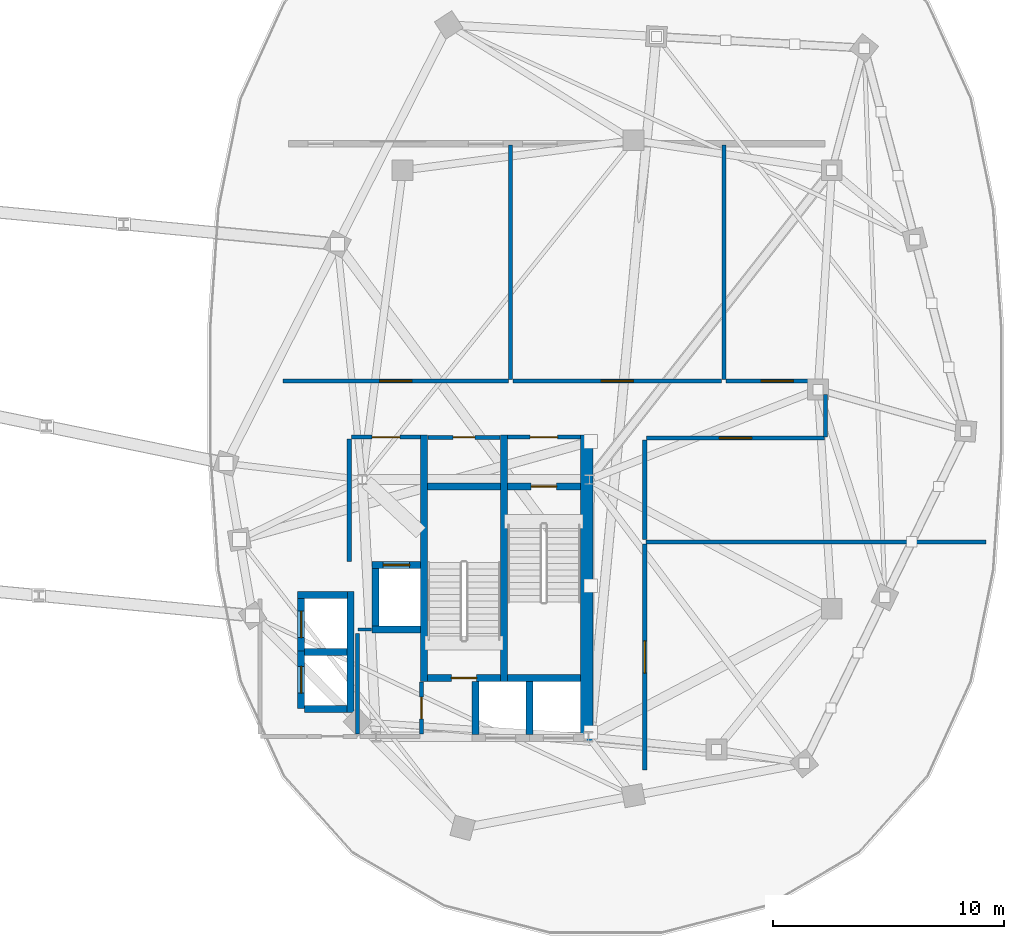
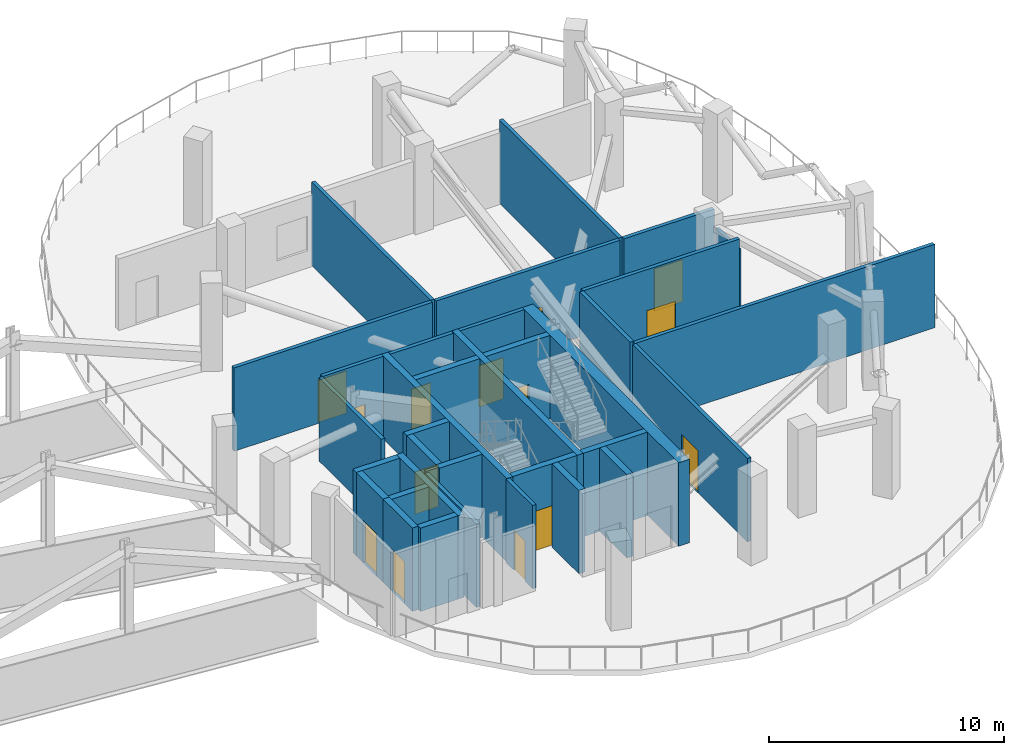
# One storey, part 9 of 16: 35 walls, 14 doors, 14 openings.
"""IFC4 building model written with IfcOpenShell, lengths in metres."""

from ifc_helpers import new_model, si_unit, direction, frame, frame_2d, origin, place, context, subcontext, project, spatial, rectangle, extrude, material, layer, layer_set, type_object, element, fill, save


model = new_model("IFC4")

# Units and contexts
model_context = context("Model", 3, precision=1e-05, world=origin(), true_north=direction((0.0, 1.0)))
body_context = subcontext(model_context, "Body", "Model", "MODEL_VIEW")
ifc_project = project(units=[si_unit("LENGTHUNIT", "METRE"), si_unit("AREAUNIT", "SQUARE_METRE"), si_unit("VOLUMEUNIT", "CUBIC_METRE"), si_unit("PLANEANGLEUNIT", "RADIAN"), si_unit("MASSUNIT", "GRAM", prefix="KILO"), si_unit("THERMODYNAMICTEMPERATUREUNIT", "KELVIN"), si_unit("POWERUNIT", "WATT")], contexts=[model_context])

# Site, building, storey
site_placement = place(None, origin())
site = spatial("IfcSite", under=ifc_project, at=site_placement, CompositionType="ELEMENT")
building_placement = place(site_placement, origin())
building = spatial("IfcBuilding", under=site, at=building_placement, Name="Cundina Bronze Exchange", CompositionType="ELEMENT")
storey_placement = place(building_placement, frame((0.0, 0.0, 235.0)))
storey = spatial("IfcBuildingStorey", under=building, at=storey_placement, Name="L62", CompositionType="ELEMENT", Elevation=235.0)

# Wall
ifc_material_1 = material(Name="Gypsum Fireboard Partition EI120")
ifc_layer_1 = layer(ifc_material_1, 0.179931640625, Name="Gypsum Fireboard Partition EI120")
ifc_layer_set_1 = layer_set([ifc_layer_1], Name="Gypsum Fireboard Partition EI120")
wall_type_1 = type_object("IfcWallType", Name="WL-COR-180", PredefinedType="PARTITIONING", material=ifc_layer_set_1)
wall_1_placement = place(storey_placement, frame((20.889892578125, -7.449951171875, 0.0), z_axis=(0.0, 0.0, 1.0), x_axis=(0.0, 1.0, 0.0)))
element("IfcWall", 1, at=wall_1_placement, inside=storey, type_object=wall_type_1, Name="L62 E Firefighting Lobby Side Wall", PredefinedType="PARTITIONING", context=body_context, shape_type="SweptSolid", body=[
    extrude(rectangle(XDim=5.300048828125, YDim=0.179931640625, at=frame_2d((2.64990234375, 0.0))), origin(), (0.0, 0.0, 1.0), 4.340087890625),
])

# Wall, opening, door
wall_2_placement = place(storey_placement, frame((20.97998046875, -2.06005859375, 0.0), z_axis=(0.0, 0.0, 1.0), x_axis=(1.0, 0.0, 0.0)))
wall_2 = element("IfcWall", 2, at=wall_2_placement, inside=storey, type_object=wall_type_1, Name="L62 E Firefighting Lobby Exit Wall", PredefinedType="PARTITIONING", context=body_context, shape_type="SweptSolid", body=[
    extrude(rectangle(XDim=3.0, YDim=0.179931640625, at=frame_2d((1.5, 0.0))), origin(), (0.0, 0.0, 1.0), 4.340087890625),
])
opening_1_placement = place(wall_2_placement, frame((0.89990234375, 0.0, 0.0)))
opening_1 = element("IfcOpeningElement", 3, at=opening_1_placement, cuts=wall_2, Name="Opening DF-01", PredefinedType="OPENING", context=body_context, shape_type="SweptSolid", body=[
    extrude(rectangle(XDim=1.199951171875, YDim=2.14990234375, at=frame_2d((0.60009765625, 1.074951171875))), frame((0.0, 0.099853515625, 0.0), z_axis=(0.0, -1.0, 0.0), x_axis=(1.0, 0.0, 0.0)), (0.0, 0.0, 1.0), 0.199951171875),
])
ifc_material_2 = material(Name="Steel ASTM A36 Painted", Category="steel")
door_type_1 = type_object("IfcDoorType", Name="DR-FFL-1200", OperationType="NOTDEFINED", PredefinedType="DOOR", material=ifc_material_2)
door_1_placement = place(opening_1_placement, origin())
door_1 = element("IfcDoor", 4, at=door_1_placement, inside=storey, type_object=door_type_1, Name="L62 E Firefighting Lobby Door", OperationType="SINGLE_SWING_LEFT", OverallHeight=2.14990234375, OverallWidth=1.199951171875, PredefinedType="DOOR", context=body_context, shape_type="SweptSolid", body=[
    extrude(rectangle(XDim=1.199951171875, YDim=2.14990234375, at=frame_2d((0.60009765625, 1.074951171875))), frame((0.0, 0.02490234375, 0.0), z_axis=(0.0, -1.0, 0.0), x_axis=(1.0, 0.0, 0.0)), (0.0, 0.0, 1.0), 0.050048828125),
])
fill(opening_1, door_1)

wall_3_placement = place(storey_placement, frame((27.739990234375, -2.06005859375, 0.0), z_axis=(0.0, 0.0, 1.0), x_axis=(1.0, 0.0, 0.0)))
wall_3 = element("IfcWall", 5, at=wall_3_placement, inside=storey, type_object=wall_type_1, Name="L62 E Stair Vestibule Exit Wall", PredefinedType="PARTITIONING", context=body_context, shape_type="SweptSolid", body=[
    extrude(rectangle(XDim=3.159912109375, YDim=0.179931640625, at=frame_2d((1.580078125, 0.0))), origin(), (0.0, 0.0, 1.0), 4.340087890625),
])
opening_2_placement = place(wall_3_placement, frame((0.97998046875, 0.0, 0.0)))
opening_2 = element("IfcOpeningElement", 6, at=opening_2_placement, cuts=wall_3, Name="Opening DF-01", PredefinedType="OPENING", context=body_context, shape_type="SweptSolid", body=[
    extrude(rectangle(XDim=1.199951171875, YDim=2.14990234375, at=frame_2d((0.60009765625, 1.074951171875))), frame((0.0, 0.099853515625, 0.0), z_axis=(0.0, -1.0, 0.0), x_axis=(1.0, 0.0, 0.0)), (0.0, 0.0, 1.0), 0.199951171875),
])
door_2_placement = place(opening_2_placement, origin())
door_2 = element("IfcDoor", 7, at=door_2_placement, inside=storey, type_object=door_type_1, Name="L62 E Stair Vestibule Door", OperationType="SINGLE_SWING_RIGHT", OverallHeight=2.14990234375, OverallWidth=1.199951171875, PredefinedType="DOOR", context=body_context, shape_type="SweptSolid", body=[
    extrude(rectangle(XDim=1.199951171875, YDim=2.14990234375, at=frame_2d((0.60009765625, 1.074951171875))), frame((0.0, 0.02490234375, 0.0), z_axis=(0.0, -1.0, 0.0), x_axis=(1.0, 0.0, 0.0)), (0.0, 0.0, 1.0), 0.050048828125),
])
fill(opening_2, door_2)

# Wall
wall_4_placement = place(storey_placement, frame((21.25, -14.929931640625, 0.0), z_axis=(0.0, 0.0, 1.0), x_axis=(0.0, 1.0, 0.0)))
element("IfcWall", 8, at=wall_4_placement, inside=storey, type_object=wall_type_1, Name="L62 Interior Partition 023", PredefinedType="PARTITIONING", context=body_context, shape_type="SweptSolid", body=[
    extrude(rectangle(XDim=4.35986328125, YDim=0.179931640625, at=frame_2d((2.179931640625, 0.0))), origin(), (0.0, 0.0, 1.0), 4.340087890625),
])

# Wall, opening, door
wall_5_placement = place(storey_placement, frame((24.300048828125, -2.070068359375, 0.0), z_axis=(0.0, 0.0, 1.0), x_axis=(1.0, 0.0, 0.0)))
wall_5 = element("IfcWall", 9, at=wall_5_placement, inside=storey, type_object=wall_type_1, Name="L62 Interior Partition 025", PredefinedType="PARTITIONING", context=body_context, shape_type="SweptSolid", body=[
    extrude(rectangle(XDim=3.119873046875, YDim=0.179931640625, at=frame_2d((1.56005859375, 0.0))), origin(), (0.0, 0.0, 1.0), 4.340087890625),
])
opening_3_placement = place(wall_5_placement, frame((1.0849609375, 0.0, 0.0)))
opening_3 = element("IfcOpeningElement", 10, at=opening_3_placement, cuts=wall_5, Name="Opening DW-01", PredefinedType="OPENING", context=body_context, shape_type="SweptSolid", body=[
    extrude(rectangle(XDim=0.949951171875, YDim=2.10009765625, at=frame_2d((0.47509765625, 1.050048828125))), frame((0.0, 0.099853515625, 0.0), z_axis=(0.0, -1.0, 0.0), x_axis=(1.0, 0.0, 0.0)), (0.0, 0.0, 1.0), 0.199951171875),
])
ifc_material_3 = material(Name="Solid Andean Oak Timber Grade A", Category="wood")
door_type_2 = type_object("IfcDoorType", Name="DR-WC-950", OperationType="NOTDEFINED", PredefinedType="DOOR", material=ifc_material_3)
door_3_placement = place(opening_3_placement, origin())
door_3 = element("IfcDoor", 11, at=door_3_placement, inside=storey, type_object=door_type_2, Name="L62 Interior Door 025", OperationType="SINGLE_SWING_RIGHT", OverallHeight=2.10009765625, OverallWidth=0.949951171875, PredefinedType="DOOR", context=body_context, shape_type="SweptSolid", body=[
    extrude(rectangle(XDim=0.949951171875, YDim=2.10009765625, at=frame_2d((0.47509765625, 1.050048828125))), frame((0.0, 0.02490234375, 0.0), z_axis=(0.0, -1.0, 0.0), x_axis=(1.0, 0.0, 0.0)), (0.0, 0.0, 1.0), 0.050048828125),
])
fill(opening_3, door_3)

wall_6_placement = place(storey_placement, frame((24.02001953125, -14.929931640625, 0.0), z_axis=(0.0, 0.0, 1.0), x_axis=(0.0, 1.0, 0.0)))
wall_6 = element("IfcWall", 12, at=wall_6_placement, inside=storey, type_object=wall_type_1, Name="L62 Interior Partition 026", PredefinedType="PARTITIONING", context=body_context, shape_type="SweptSolid", body=[
    extrude(rectangle(XDim=2.260009765625, YDim=0.179931640625, at=frame_2d((1.1298828125, 0.0))), origin(), (0.0, 0.0, 1.0), 4.340087890625),
])
opening_4_placement = place(wall_6_placement, frame((0.655029296875, 0.0, 0.0)))
opening_4 = element("IfcOpeningElement", 13, at=opening_4_placement, cuts=wall_6, Name="Opening DW-01", PredefinedType="OPENING", context=body_context, shape_type="SweptSolid", body=[
    extrude(rectangle(XDim=0.949951171875, YDim=2.10009765625, at=frame_2d((0.47509765625, 1.050048828125))), frame((0.0, 0.099853515625, 0.0), z_axis=(0.0, -1.0, 0.0), x_axis=(1.0, 0.0, 0.0)), (0.0, 0.0, 1.0), 0.199951171875),
])
door_4_placement = place(opening_4_placement, origin())
door_4 = element("IfcDoor", 14, at=door_4_placement, inside=storey, type_object=door_type_2, Name="L62 Interior Door 026", OperationType="SINGLE_SWING_RIGHT", OverallHeight=2.10009765625, OverallWidth=0.949951171875, PredefinedType="DOOR", context=body_context, shape_type="SweptSolid", body=[
    extrude(rectangle(XDim=0.949951171875, YDim=2.10009765625, at=frame_2d((0.47509765625, 1.050048828125))), frame((0.0, 0.02490234375, 0.0), z_axis=(0.0, -1.0, 0.0), x_axis=(1.0, 0.0, 0.0)), (0.0, 0.0, 1.0), 0.050048828125),
])
fill(opening_4, door_4)

# Walls
wall_7_placement = place(storey_placement, frame((37.1201171875, 0.43994140625, 0.0), z_axis=(0.0, 0.0, 1.0), x_axis=(0.0, 1.0, 0.0)))
element("IfcWall", 15, at=wall_7_placement, inside=storey, type_object=wall_type_1, Name="L62 Interior Partition 027", PredefinedType="PARTITIONING", context=body_context, shape_type="SweptSolid", body=[
    extrude(rectangle(XDim=10.16015625, YDim=0.179931640625, at=frame_2d((5.080078125, 0.0))), origin(), (0.0, 0.0, 1.0), 4.340087890625),
])
wall_8_placement = place(storey_placement, frame((33.739990234375, -6.60009765625, 0.0), z_axis=(0.0, 0.0, 1.0), x_axis=(1.0, 0.0, 0.0)))
element("IfcWall", 16, at=wall_8_placement, inside=storey, type_object=wall_type_1, Name="L62 Interior Partition 028", PredefinedType="PARTITIONING", context=body_context, shape_type="SweptSolid", body=[
    extrude(rectangle(XDim=14.739990234375, YDim=0.179931640625, at=frame_2d((7.3701171875, 0.0))), origin(), (0.0, 0.0, 1.0), 4.340087890625),
])

# Wall, opening, door
wall_9_placement = place(storey_placement, frame((27.780029296875, 0.3701171875, 0.0), z_axis=(0.0, 0.0, 1.0), x_axis=(-1.0, 0.0, 0.0)))
wall_9 = element("IfcWall", 17, at=wall_9_placement, inside=storey, type_object=wall_type_1, Name="L62 Interior Partition 029", PredefinedType="PARTITIONING", context=body_context, shape_type="SweptSolid", body=[
    extrude(rectangle(XDim=9.760009765625, YDim=0.179931640625, at=frame_2d((4.8798828125, 0.0))), origin(), (0.0, 0.0, 1.0), 4.340087890625),
])
opening_5_placement = place(wall_9_placement, frame((4.179931640625, 0.0, 0.0)))
opening_5 = element("IfcOpeningElement", 18, at=opening_5_placement, cuts=wall_9, Name="Opening DP-01", PredefinedType="OPENING", context=body_context, shape_type="SweptSolid", body=[
    extrude(rectangle(XDim=1.39990234375, YDim=2.199951171875, at=frame_2d((0.699951171875, 1.10009765625))), frame((0.0, 0.099853515625, 0.0), z_axis=(0.0, -1.0, 0.0), x_axis=(1.0, 0.0, 0.0)), (0.0, 0.0, 1.0), 0.199951171875),
])
door_type_3 = type_object("IfcDoorType", Name="DR-PLT-1400", OperationType="NOTDEFINED", PredefinedType="DOOR", material=ifc_material_2)
door_5_placement = place(opening_5_placement, origin())
door_5 = element("IfcDoor", 19, at=door_5_placement, inside=storey, type_object=door_type_3, Name="L62 Interior Door 029", OperationType="SINGLE_SWING_RIGHT", OverallHeight=2.199951171875, OverallWidth=1.39990234375, PredefinedType="DOOR", context=body_context, shape_type="SweptSolid", body=[
    extrude(rectangle(XDim=1.39990234375, YDim=2.199951171875, at=frame_2d((0.699951171875, 1.10009765625))), frame((0.0, 0.02490234375, 0.0), z_axis=(0.0, -1.0, 0.0), x_axis=(1.0, 0.0, 0.0)), (0.0, 0.0, 1.0), 0.050048828125),
])
fill(opening_5, door_5)

wall_10_placement = place(storey_placement, frame((41.65869140625, 0.3701171875, 0.0), z_axis=(0.0, 0.0, 1.0), x_axis=(-1.0, 0.0, 0.0)))
wall_10 = element("IfcWall", 20, at=wall_10_placement, inside=storey, type_object=wall_type_1, Name="L62 Interior Partition 030", PredefinedType="PARTITIONING", context=body_context, shape_type="SweptSolid", body=[
    extrude(rectangle(XDim=4.438720703125, YDim=0.179931640625, at=frame_2d((2.21923828125, 0.0))), origin(), (0.0, 0.0, 1.0), 4.340087890625),
])
opening_6_placement = place(wall_10_placement, frame((1.519287109375, 0.0, 0.0)))
opening_6 = element("IfcOpeningElement", 21, at=opening_6_placement, cuts=wall_10, Name="Opening DP-01", PredefinedType="OPENING", context=body_context, shape_type="SweptSolid", body=[
    extrude(rectangle(XDim=1.39990234375, YDim=2.199951171875, at=frame_2d((0.699951171875, 1.10009765625))), frame((0.0, 0.099853515625, 0.0), z_axis=(0.0, -1.0, 0.0), x_axis=(1.0, 0.0, 0.0)), (0.0, 0.0, 1.0), 0.199951171875),
])
door_6_placement = place(opening_6_placement, origin())
door_6 = element("IfcDoor", 22, at=door_6_placement, inside=storey, type_object=door_type_3, Name="L62 Interior Door 030", OperationType="SINGLE_SWING_RIGHT", OverallHeight=2.199951171875, OverallWidth=1.39990234375, PredefinedType="DOOR", context=body_context, shape_type="SweptSolid", body=[
    extrude(rectangle(XDim=1.39990234375, YDim=2.199951171875, at=frame_2d((0.699951171875, 1.10009765625))), frame((0.0, 0.02490234375, 0.0), z_axis=(0.0, -1.0, 0.0), x_axis=(1.0, 0.0, 0.0)), (0.0, 0.0, 1.0), 0.050048828125),
])
fill(opening_6, door_6)

wall_11_placement = place(storey_placement, frame((37.02001953125, 0.3701171875, 0.0), z_axis=(0.0, 0.0, 1.0), x_axis=(-1.0, 0.0, 0.0)))
wall_11 = element("IfcWall", 23, at=wall_11_placement, inside=storey, type_object=wall_type_1, Name="L62 Interior Partition 031", PredefinedType="PARTITIONING", context=body_context, shape_type="SweptSolid", body=[
    extrude(rectangle(XDim=9.0400390625, YDim=0.179931640625, at=frame_2d((4.52001953125, 0.0))), origin(), (0.0, 0.0, 1.0), 4.340087890625),
])
opening_7_placement = place(wall_11_placement, frame((3.820068359375, 0.0, 0.0)))
opening_7 = element("IfcOpeningElement", 24, at=opening_7_placement, cuts=wall_11, Name="Opening DP-01", PredefinedType="OPENING", context=body_context, shape_type="SweptSolid", body=[
    extrude(rectangle(XDim=1.39990234375, YDim=2.199951171875, at=frame_2d((0.699951171875, 1.10009765625))), frame((0.0, 0.099853515625, 0.0), z_axis=(0.0, -1.0, 0.0), x_axis=(1.0, 0.0, 0.0)), (0.0, 0.0, 1.0), 0.199951171875),
])
door_7_placement = place(opening_7_placement, origin())
door_7 = element("IfcDoor", 25, at=door_7_placement, inside=storey, type_object=door_type_3, Name="L62 Interior Door 031", OperationType="SINGLE_SWING_RIGHT", OverallHeight=2.199951171875, OverallWidth=1.39990234375, PredefinedType="DOOR", context=body_context, shape_type="SweptSolid", body=[
    extrude(rectangle(XDim=1.39990234375, YDim=2.199951171875, at=frame_2d((0.699951171875, 1.10009765625))), frame((0.0, 0.02490234375, 0.0), z_axis=(0.0, -1.0, 0.0), x_axis=(1.0, 0.0, 0.0)), (0.0, 0.0, 1.0), 0.050048828125),
])
fill(opening_7, door_7)

wall_12_placement = place(storey_placement, frame((33.77001953125, -2.10009765625, 0.0), z_axis=(0.0, 0.0, 1.0), x_axis=(1.0, 0.0, 0.0)))
wall_12 = element("IfcWall", 26, at=wall_12_placement, inside=storey, type_object=wall_type_1, Name="L62 Interior Partition 032", PredefinedType="PARTITIONING", context=body_context, shape_type="SweptSolid", body=[
    extrude(rectangle(XDim=7.70849609375, YDim=0.179931640625, at=frame_2d((3.854248046875, 0.0))), origin(), (0.0, 0.0, 1.0), 4.340087890625),
])
opening_8_placement = place(wall_12_placement, frame((3.154296875, 0.0, 0.0)))
opening_8 = element("IfcOpeningElement", 27, at=opening_8_placement, cuts=wall_12, Name="Opening DP-01", PredefinedType="OPENING", context=body_context, shape_type="SweptSolid", body=[
    extrude(rectangle(XDim=1.39990234375, YDim=2.199951171875, at=frame_2d((0.699951171875, 1.10009765625))), frame((0.0, 0.099853515625, 0.0), z_axis=(0.0, -1.0, 0.0), x_axis=(1.0, 0.0, 0.0)), (0.0, 0.0, 1.0), 0.199951171875),
])
door_8_placement = place(opening_8_placement, origin())
door_8 = element("IfcDoor", 28, at=door_8_placement, inside=storey, type_object=door_type_3, Name="L62 Interior Door 032", OperationType="SINGLE_SWING_RIGHT", OverallHeight=2.199951171875, OverallWidth=1.39990234375, PredefinedType="DOOR", context=body_context, shape_type="SweptSolid", body=[
    extrude(rectangle(XDim=1.39990234375, YDim=2.199951171875, at=frame_2d((0.699951171875, 1.10009765625))), frame((0.0, 0.02490234375, 0.0), z_axis=(0.0, -1.0, 0.0), x_axis=(1.0, 0.0, 0.0)), (0.0, 0.0, 1.0), 0.050048828125),
])
fill(opening_8, door_8)

# Walls
wall_13_placement = place(storey_placement, frame((33.68994140625, -6.5, 0.0), z_axis=(0.0, 0.0, 1.0), x_axis=(0.0, 1.0, 0.0)))
element("IfcWall", 29, at=wall_13_placement, inside=storey, type_object=wall_type_1, Name="L62 Interior Partition 033", PredefinedType="PARTITIONING", context=body_context, shape_type="SweptSolid", body=[
    extrude(rectangle(XDim=4.320068359375, YDim=0.179931640625, at=frame_2d((2.16015625, 0.0))), origin(), (0.0, 0.0, 1.0), 4.340087890625),
])
wall_14_placement = place(storey_placement, frame((41.52001953125, -2.05859375, 0.0), z_axis=(0.0, 0.0, 1.0), x_axis=(0.0, 1.0, 0.0)))
element("IfcWall", 30, at=wall_14_placement, inside=storey, type_object=wall_type_1, Name="L62 Interior Partition 034", PredefinedType="PARTITIONING", context=body_context, shape_type="SweptSolid", body=[
    extrude(rectangle(XDim=1.838623046875, YDim=0.179931640625, at=frame_2d((0.91943359375, 0.0))), origin(), (0.0, 0.0, 1.0), 3.72412109375),
])

# Wall, opening, door
wall_15_placement = place(storey_placement, frame((33.68994140625, -16.47998046875, 0.0), z_axis=(0.0, 0.0, 1.0), x_axis=(0.0, 1.0, 0.0)))
wall_15 = element("IfcWall", 31, at=wall_15_placement, inside=storey, type_object=wall_type_1, Name="L62 Interior Partition 035", PredefinedType="PARTITIONING", context=body_context, shape_type="SweptSolid", body=[
    extrude(rectangle(XDim=9.780029296875, YDim=0.179931640625, at=frame_2d((4.89013671875, 0.0))), origin(), (0.0, 0.0, 1.0), 4.340087890625),
])
opening_9_placement = place(wall_15_placement, frame((4.18994140625, 0.0, 0.0)))
opening_9 = element("IfcOpeningElement", 32, at=opening_9_placement, cuts=wall_15, Name="Opening DP-01", PredefinedType="OPENING", context=body_context, shape_type="SweptSolid", body=[
    extrude(rectangle(XDim=1.39990234375, YDim=2.199951171875, at=frame_2d((0.699951171875, 1.10009765625))), frame((0.0, 0.099853515625, 0.0), z_axis=(0.0, -1.0, 0.0), x_axis=(1.0, 0.0, 0.0)), (0.0, 0.0, 1.0), 0.199951171875),
])
door_9_placement = place(opening_9_placement, origin())
door_9 = element("IfcDoor", 33, at=door_9_placement, inside=storey, type_object=door_type_3, Name="L62 Interior Door 035", OperationType="SINGLE_SWING_RIGHT", OverallHeight=2.199951171875, OverallWidth=1.39990234375, PredefinedType="DOOR", context=body_context, shape_type="SweptSolid", body=[
    extrude(rectangle(XDim=1.39990234375, YDim=2.199951171875, at=frame_2d((0.699951171875, 1.10009765625))), frame((0.0, 0.02490234375, 0.0), z_axis=(0.0, -1.0, 0.0), x_axis=(1.0, 0.0, 0.0)), (0.0, 0.0, 1.0), 0.050048828125),
])
fill(opening_9, door_9)

# Walls
wall_16_placement = place(storey_placement, frame((27.8798828125, 0.43994140625, 0.0), z_axis=(0.0, 0.0, 1.0), x_axis=(0.0, 1.0, 0.0)))
element("IfcWall", 34, at=wall_16_placement, inside=storey, type_object=wall_type_1, Name="L62 Interior Partition 036", PredefinedType="PARTITIONING", context=body_context, shape_type="SweptSolid", body=[
    extrude(rectangle(XDim=10.16015625, YDim=0.179931640625, at=frame_2d((5.080078125, 0.0))), origin(), (0.0, 0.0, 1.0), 4.340087890625),
])
ifc_material_4 = material(Name="Concrete C50/60", Category="concrete")
ifc_layer_2 = layer(ifc_material_4, 0.550048828125, Name="Concrete C50/60", Category="concrete")
ifc_layer_set_2 = layer_set([ifc_layer_2], Name="Concrete C50/60")
wall_type_2 = type_object("IfcWallType", Name="WL-CORE-550", PredefinedType="SHEAR", material=ifc_layer_set_2)
wall_17_placement = place(storey_placement, frame((31.175048828125, -15.300048828125, 0.0), z_axis=(0.0, 0.0, 1.0), x_axis=(0.0, 1.0, 0.0)))
element("IfcWall", 35, at=wall_17_placement, inside=storey, type_object=wall_type_2, Name="L62 E Primary Core Shear Spine Wall", PredefinedType="SHEAR", context=body_context, shape_type="SweptSolid", body=[
    extrude(rectangle(XDim=13.330078125, YDim=0.550048828125, at=frame_2d((6.6650390625, 0.0))), origin(), (0.0, 0.0, 1.0), 4.340087890625),
])
ifc_layer_3 = layer(ifc_material_4, 0.300048828125, Name="Concrete C50/60", Category="concrete")
ifc_layer_set_3 = layer_set([ifc_layer_3], Name="Concrete C50/60")
wall_type_3 = type_object("IfcWallType", Name="WL-SHFT-300", PredefinedType="SHEAR", material=ifc_layer_set_3)
for number, where, z_axis, x_axis, name in (
    (36, (27.590087890625, -12.64990234375, 0.0), (0.0, 0.0, 1.0), (0.0, 1.0, 0.0), "L62 E Stair Shaft Dividing Shear Wall"),
    (37, (24.1298828125, -12.64990234375, 0.0), (0.0, 0.0, 1.0), (0.0, 1.0, 0.0), "L62 E Stair 2 East Shear Wall"),
):
    element("IfcWall", number, at=place(storey_placement, frame(where, z_axis=z_axis, x_axis=x_axis)), inside=storey, type_object=wall_type_3, Name=name, PredefinedType="SHEAR", context=body_context, shape_type="SweptSolid", body=[
        extrude(rectangle(XDim=10.679931640625, YDim=0.300048828125, at=frame_2d((5.33984375, 0.0))), origin(), (0.0, 0.0, 1.0), 4.340087890625),
    ])

# Wall, opening, door
wall_18_placement = place(storey_placement, frame((27.739990234375, -4.199951171875, 0.0), z_axis=(0.0, 0.0, 1.0), x_axis=(1.0, 0.0, 0.0)))
wall_18 = element("IfcWall", 38, at=wall_18_placement, inside=storey, type_object=wall_type_3, Name="L62 Stair E1 Landing Wall", PredefinedType="SHEAR", context=body_context, shape_type="SweptSolid", body=[
    extrude(rectangle(XDim=3.159912109375, YDim=0.300048828125, at=frame_2d((1.580078125, 0.0))), origin(), (0.0, 0.0, 1.0), 4.340087890625),
])
opening_10_placement = place(wall_18_placement, frame((1.030029296875, 0.0, 0.0)))
opening_10 = element("IfcOpeningElement", 39, at=opening_10_placement, cuts=wall_18, Name="Opening DS-01", PredefinedType="OPENING", context=body_context, shape_type="SweptSolid", body=[
    extrude(rectangle(XDim=1.10009765625, YDim=2.14990234375, at=frame_2d((0.550048828125, 1.074951171875))), frame((0.0, 0.159912109375, 0.0), z_axis=(0.0, -1.0, 0.0), x_axis=(1.0, 0.0, 0.0)), (0.0, 0.0, 1.0), 0.320068359375),
])
door_type_4 = type_object("IfcDoorType", Name="DR-STR-1100", OperationType="NOTDEFINED", PredefinedType="DOOR", material=ifc_material_2)
door_10_placement = place(opening_10_placement, origin())
door_10 = element("IfcDoor", 40, at=door_10_placement, inside=storey, type_object=door_type_4, Name="L62 Smokeproof Stair E1 Door", OperationType="SINGLE_SWING_LEFT", OverallHeight=2.14990234375, OverallWidth=1.10009765625, PredefinedType="DOOR", context=body_context, shape_type="SweptSolid", body=[
    extrude(rectangle(XDim=1.10009765625, YDim=2.14990234375, at=frame_2d((0.550048828125, 1.074951171875))), frame((0.0, 0.02490234375, 0.0), z_axis=(0.0, -1.0, 0.0), x_axis=(1.0, 0.0, 0.0)), (0.0, 0.0, 1.0), 0.050048828125),
])
fill(opening_10, door_10)

# Wall
wall_19_placement = place(storey_placement, frame((27.739990234375, -12.5, 0.0), z_axis=(0.0, 0.0, 1.0), x_axis=(1.0, 0.0, 0.0)))
element("IfcWall", 41, at=wall_19_placement, inside=storey, type_object=wall_type_3, Name="L62 Stair E1 Far Shaft Wall", PredefinedType="SHEAR", context=body_context, shape_type="SweptSolid", body=[
    extrude(rectangle(XDim=3.159912109375, YDim=0.300048828125, at=frame_2d((1.580078125, 0.0))), origin(), (0.0, 0.0, 1.0), 4.340087890625),
])

# Wall, opening, door
wall_20_placement = place(storey_placement, frame((24.280029296875, -12.5, 0.0), z_axis=(0.0, 0.0, 1.0), x_axis=(1.0, 0.0, 0.0)))
wall_20 = element("IfcWall", 42, at=wall_20_placement, inside=storey, type_object=wall_type_3, Name="L62 Stair E2 Landing Wall", PredefinedType="SHEAR", context=body_context, shape_type="SweptSolid", body=[
    extrude(rectangle(XDim=3.159912109375, YDim=0.300048828125, at=frame_2d((1.580078125, 0.0))), origin(), (0.0, 0.0, 1.0), 4.340087890625),
])
opening_11_placement = place(wall_20_placement, frame((1.030029296875, 0.0, 0.0)))
opening_11 = element("IfcOpeningElement", 43, at=opening_11_placement, cuts=wall_20, Name="Opening DS-01", PredefinedType="OPENING", context=body_context, shape_type="SweptSolid", body=[
    extrude(rectangle(XDim=1.10009765625, YDim=2.14990234375, at=frame_2d((0.550048828125, 1.074951171875))), frame((0.0, 0.159912109375, 0.0), z_axis=(0.0, -1.0, 0.0), x_axis=(1.0, 0.0, 0.0)), (0.0, 0.0, 1.0), 0.320068359375),
])
door_11_placement = place(opening_11_placement, origin())
door_11 = element("IfcDoor", 44, at=door_11_placement, inside=storey, type_object=door_type_4, Name="L62 Smokeproof Stair E2 Door", OperationType="SINGLE_SWING_RIGHT", OverallHeight=2.14990234375, OverallWidth=1.10009765625, PredefinedType="DOOR", context=body_context, shape_type="SweptSolid", body=[
    extrude(rectangle(XDim=1.10009765625, YDim=2.14990234375, at=frame_2d((0.550048828125, 1.074951171875))), frame((0.0, 0.02490234375, 0.0), z_axis=(0.0, -1.0, 0.0), x_axis=(1.0, 0.0, 0.0)), (0.0, 0.0, 1.0), 0.050048828125),
])
fill(opening_11, door_11)

# Wall
wall_21_placement = place(storey_placement, frame((24.280029296875, -4.199951171875, 0.0), z_axis=(0.0, 0.0, 1.0), x_axis=(1.0, 0.0, 0.0)))
element("IfcWall", 45, at=wall_21_placement, inside=storey, type_object=wall_type_3, Name="L62 Stair E2 Far Shaft Wall", PredefinedType="SHEAR", context=body_context, shape_type="SweptSolid", body=[
    extrude(rectangle(XDim=3.159912109375, YDim=0.300048828125, at=frame_2d((1.580078125, 0.0))), origin(), (0.0, 0.0, 1.0), 4.340087890625),
])

# Wall, opening, door
wall_22_placement = place(storey_placement, frame((21.8798828125, -7.60009765625, 0.0), z_axis=(0.0, 0.0, 1.0), x_axis=(1.0, 0.0, 0.0)))
wall_22 = element("IfcWall", 46, at=wall_22_placement, inside=storey, type_object=wall_type_3, Name="L62 FFL-E Hoistway Front Wall", PredefinedType="SHEAR", context=body_context, shape_type="SweptSolid", body=[
    extrude(rectangle(XDim=2.10009765625, YDim=0.300048828125, at=frame_2d((1.050048828125, 0.0))), origin(), (0.0, 0.0, 1.0), 4.340087890625),
])
opening_12_placement = place(wall_22_placement, frame((0.47509765625, 0.0, 0.0)))
opening_12 = element("IfcOpeningElement", 47, at=opening_12_placement, cuts=wall_22, Name="Opening LD-01", PredefinedType="OPENING", context=body_context, shape_type="SweptSolid", body=[
    extrude(rectangle(XDim=1.14990234375, YDim=2.199951171875, at=frame_2d((0.574951171875, 1.10009765625))), frame((0.0, 0.159912109375, 0.0), z_axis=(0.0, -1.0, 0.0), x_axis=(1.0, 0.0, 0.0)), (0.0, 0.0, 1.0), 0.320068359375),
])
door_type_5 = type_object("IfcDoorType", Name="DR-LND-1150", OperationType="NOTDEFINED", PredefinedType="TRAPDOOR", material=ifc_material_2)
door_12_placement = place(opening_12_placement, origin())
door_12 = element("IfcDoor", 48, at=door_12_placement, inside=storey, type_object=door_type_5, Name="L62 FFL-E Sliding Landing Door", OperationType="SLIDING_TO_LEFT", OverallHeight=2.199951171875, OverallWidth=1.14990234375, PredefinedType="TRAPDOOR", context=body_context, shape_type="SweptSolid", body=[
    extrude(rectangle(XDim=1.14990234375, YDim=2.199951171875, at=frame_2d((0.574951171875, 1.10009765625))), frame((0.0, 0.02490234375, 0.0), z_axis=(0.0, -1.0, 0.0), x_axis=(1.0, 0.0, 0.0)), (0.0, 0.0, 1.0), 0.050048828125),
])
fill(opening_12, door_12)

# Walls
wall_23_placement = place(storey_placement, frame((21.8798828125, -10.39990234375, 0.0), z_axis=(0.0, 0.0, 1.0), x_axis=(1.0, 0.0, 0.0)))
element("IfcWall", 49, at=wall_23_placement, inside=storey, type_object=wall_type_3, Name="L62 FFL-E Hoistway Back Wall", PredefinedType="SHEAR", context=body_context, shape_type="SweptSolid", body=[
    extrude(rectangle(XDim=2.10009765625, YDim=0.300048828125, at=frame_2d((1.050048828125, 0.0))), origin(), (0.0, 0.0, 1.0), 4.340087890625),
])
wall_24_placement = place(storey_placement, frame((22.030029296875, -10.25, 0.0), z_axis=(0.0, 0.0, 1.0), x_axis=(0.0, 1.0, 0.0)))
element("IfcWall", 50, at=wall_24_placement, inside=storey, type_object=wall_type_3, Name="L62 FFL-E Hoistway Side Wall", PredefinedType="SHEAR", context=body_context, shape_type="SweptSolid", body=[
    extrude(rectangle(XDim=2.5, YDim=0.300048828125, at=frame_2d((1.25, 0.0))), origin(), (0.0, 0.0, 1.0), 4.340087890625),
])
for number, where, z_axis, x_axis, name in (
    (51, (28.699951171875, -14.949951171875, 0.0), (0.0, 0.0, 1.0), (0.0, 1.0, 0.0), "L62 PH-E1 Hoistway Divider Wall"),
    (52, (26.35009765625, -14.949951171875, 0.0), (0.0, 0.0, 1.0), (0.0, 1.0, 0.0), "L62 PH-E2 Hoistway Divider Wall"),
):
    element("IfcWall", number, at=place(storey_placement, frame(where, z_axis=z_axis, x_axis=x_axis)), inside=storey, type_object=wall_type_3, Name=name, PredefinedType="SHEAR", context=body_context, shape_type="SweptSolid", body=[
        extrude(rectangle(XDim=2.300048828125, YDim=0.300048828125, at=frame_2d((1.14990234375, 0.0))), origin(), (0.0, 0.0, 1.0), 4.340087890625),
    ])
wall_25_placement = place(storey_placement, frame((20.949951171875, -14.0, 0.0), z_axis=(0.0, 0.0, 1.0), x_axis=(0.0, 1.0, 0.0)))
element("IfcWall", 53, at=wall_25_placement, inside=storey, type_object=wall_type_3, Name="L62 E Passenger Bank Hoistway Back Wall", PredefinedType="SHEAR", context=body_context, shape_type="SweptSolid", body=[
    extrude(rectangle(XDim=5.25, YDim=0.300048828125, at=frame_2d((2.625, 0.0))), origin(), (0.0, 0.0, 1.0), 4.340087890625),
])
wall_26_placement = place(storey_placement, frame((18.949951171875, -13.85009765625, 0.0), z_axis=(0.0, 0.0, 1.0), x_axis=(1.0, 0.0, 0.0)))
element("IfcWall", 54, at=wall_26_placement, inside=storey, type_object=wall_type_3, Name="L62 E Passenger Bank South Cap Wall", PredefinedType="SHEAR", context=body_context, shape_type="SweptSolid", body=[
    extrude(rectangle(XDim=1.85009765625, YDim=0.300048828125, at=frame_2d((0.925048828125, 0.0))), origin(), (0.0, 0.0, 1.0), 4.340087890625),
])
wall_27_placement = place(storey_placement, frame((18.64990234375, -8.89990234375, 0.0), z_axis=(0.0, 0.0, 1.0), x_axis=(1.0, 0.0, 0.0)))
element("IfcWall", 55, at=wall_27_placement, inside=storey, type_object=wall_type_3, Name="L62 E Passenger Bank North Cap Wall", PredefinedType="SHEAR", context=body_context, shape_type="SweptSolid", body=[
    extrude(rectangle(XDim=2.150146484375, YDim=0.300048828125, at=frame_2d((1.0751953125, 0.0))), origin(), (0.0, 0.0, 1.0), 4.340087890625),
])
wall_28_placement = place(storey_placement, frame((18.949951171875, -11.375, 0.0), z_axis=(0.0, 0.0, 1.0), x_axis=(1.0, 0.0, 0.0)))
element("IfcWall", 56, at=wall_28_placement, inside=storey, type_object=wall_type_3, Name="L62 E Passenger Hoistway Divider 1", PredefinedType="SHEAR", context=body_context, shape_type="SweptSolid", body=[
    extrude(rectangle(XDim=1.85009765625, YDim=0.300048828125, at=frame_2d((0.925048828125, 0.0))), origin(), (0.0, 0.0, 1.0), 4.340087890625),
])

# Wall, opening, door
wall_29_placement = place(storey_placement, frame((18.800048828125, -13.820068359375, 0.0), z_axis=(0.0, 0.0, 1.0), x_axis=(0.0, 1.0, 0.0)))
wall_29 = element("IfcWall", 57, at=wall_29_placement, inside=storey, type_object=wall_type_3, Name="L62 PM-E1 Hoistway Front Wall", PredefinedType="SHEAR", context=body_context, shape_type="SweptSolid", body=[
    extrude(rectangle(XDim=2.489990234375, YDim=0.300048828125, at=frame_2d((1.2451171875, 0.0))), origin(), (0.0, 0.0, 1.0), 4.340087890625),
])
opening_13_placement = place(wall_29_placement, frame((0.669921875, 0.0, 0.0)))
opening_13 = element("IfcOpeningElement", 58, at=opening_13_placement, cuts=wall_29, Name="Opening LD-01", PredefinedType="OPENING", context=body_context, shape_type="SweptSolid", body=[
    extrude(rectangle(XDim=1.14990234375, YDim=2.199951171875, at=frame_2d((0.574951171875, 1.10009765625))), frame((0.0, 0.159912109375, 0.0), z_axis=(0.0, -1.0, 0.0), x_axis=(1.0, 0.0, 0.0)), (0.0, 0.0, 1.0), 0.320068359375),
])
door_13_placement = place(opening_13_placement, origin())
door_13 = element("IfcDoor", 59, at=door_13_placement, inside=storey, type_object=door_type_5, Name="L62 PM-E1 Sliding Landing Door", OperationType="SLIDING_TO_LEFT", OverallHeight=2.199951171875, OverallWidth=1.14990234375, PredefinedType="TRAPDOOR", context=body_context, shape_type="SweptSolid", body=[
    extrude(rectangle(XDim=1.14990234375, YDim=2.199951171875, at=frame_2d((0.574951171875, 1.10009765625))), frame((0.0, 0.02490234375, 0.0), z_axis=(0.0, -1.0, 0.0), x_axis=(1.0, 0.0, 0.0)), (0.0, 0.0, 1.0), 0.050048828125),
])
fill(opening_13, door_13)

wall_30_placement = place(storey_placement, frame((18.800048828125, -11.419921875, 0.0), z_axis=(0.0, 0.0, 1.0), x_axis=(0.0, 1.0, 0.0)))
wall_30 = element("IfcWall", 60, at=wall_30_placement, inside=storey, type_object=wall_type_3, Name="L62 PM-E2 Hoistway Front Wall", PredefinedType="SHEAR", context=body_context, shape_type="SweptSolid", body=[
    extrude(rectangle(XDim=2.489990234375, YDim=0.300048828125, at=frame_2d((1.2451171875, 0.0))), origin(), (0.0, 0.0, 1.0), 4.340087890625),
])
opening_14_placement = place(wall_30_placement, frame((0.669921875, 0.0, 0.0)))
opening_14 = element("IfcOpeningElement", 61, at=opening_14_placement, cuts=wall_30, Name="Opening LD-01", PredefinedType="OPENING", context=body_context, shape_type="SweptSolid", body=[
    extrude(rectangle(XDim=1.14990234375, YDim=2.199951171875, at=frame_2d((0.574951171875, 1.10009765625))), frame((0.0, 0.159912109375, 0.0), z_axis=(0.0, -1.0, 0.0), x_axis=(1.0, 0.0, 0.0)), (0.0, 0.0, 1.0), 0.320068359375),
])
door_14_placement = place(opening_14_placement, origin())
door_14 = element("IfcDoor", 62, at=door_14_placement, inside=storey, type_object=door_type_5, Name="L62 PM-E2 Sliding Landing Door", OperationType="SLIDING_TO_LEFT", OverallHeight=2.199951171875, OverallWidth=1.14990234375, PredefinedType="TRAPDOOR", context=body_context, shape_type="SweptSolid", body=[
    extrude(rectangle(XDim=1.14990234375, YDim=2.199951171875, at=frame_2d((0.574951171875, 1.10009765625))), frame((0.0, 0.02490234375, 0.0), z_axis=(0.0, -1.0, 0.0), x_axis=(1.0, 0.0, 0.0)), (0.0, 0.0, 1.0), 0.050048828125),
])
fill(opening_14, door_14)

# Wall
ifc_material_5 = material(Name="Moisture-Resistant Masonry Block Grade M15", Category="masonry")
ifc_layer_4 = layer(ifc_material_5, 0.139892578125, Name="Moisture-Resistant Masonry Block Grade M15", Category="masonry")
ifc_layer_set_4 = layer_set([ifc_layer_4], Name="Moisture-Resistant Masonry Block Grade M15")
wall_type_4 = type_object("IfcWallType", Name="WL-WET-140", PredefinedType="PARTITIONING", material=ifc_layer_set_4)
wall_31_placement = place(storey_placement, frame((21.27001953125, -10.39990234375, 0.0), z_axis=(0.0, 0.0, 1.0), x_axis=(1.0, 0.0, 0.0)))
element("IfcWall", 63, at=wall_31_placement, inside=storey, type_object=wall_type_4, Name="L62 Interior Partition 022", PredefinedType="PARTITIONING", context=body_context, shape_type="SweptSolid", body=[
    extrude(rectangle(XDim=0.590087890625, YDim=0.139892578125, at=frame_2d((0.294921875, 0.0))), origin(), (0.0, 0.0, 1.0), 4.340087890625),
])

save(model, "model.ifc")
